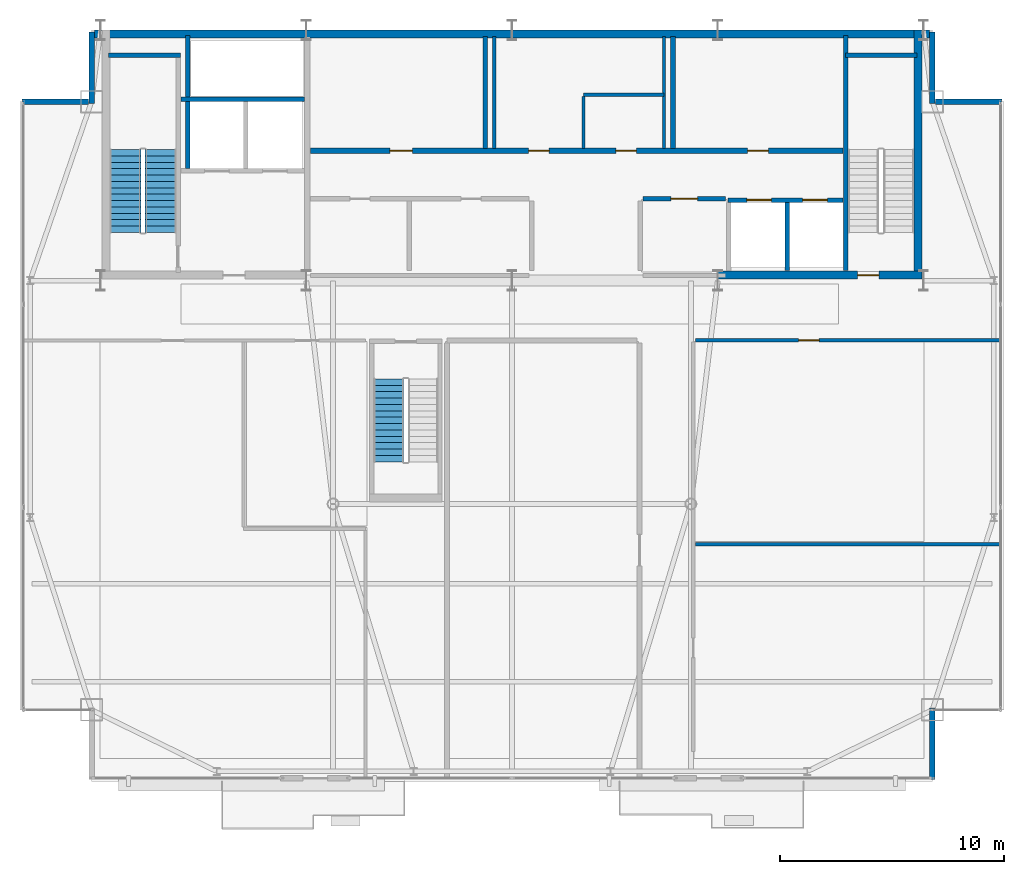
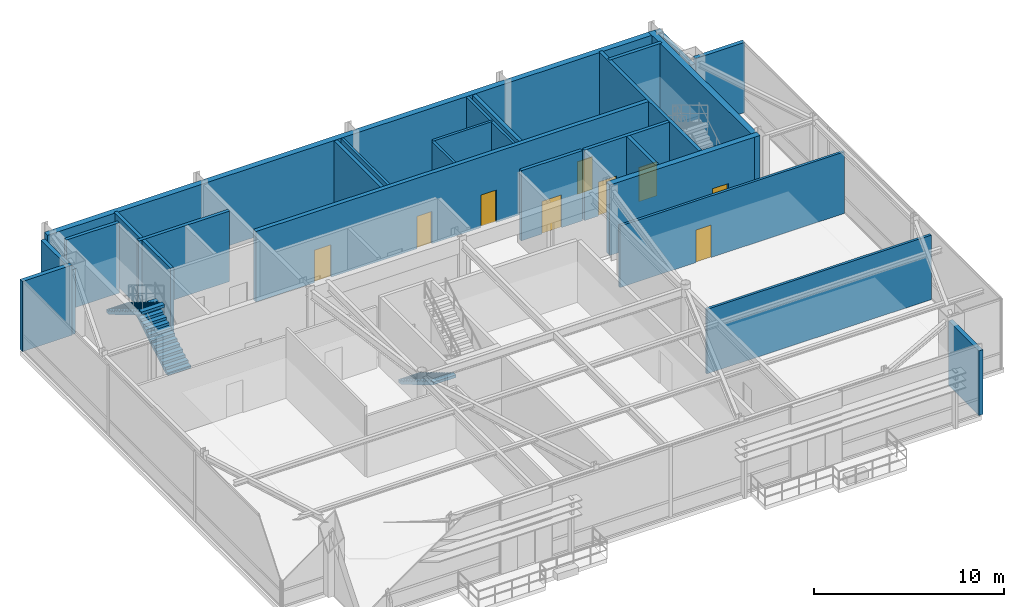
# One storey, part 19 of 22: 25 walls, 9 doors, 3 stair flights, 9 openings, 2 elements without a shape of their own.
"""IFC4 building model written with IfcOpenShell, lengths in metres."""

from ifc_helpers import new_model, si_unit, direction, frame, frame_2d, origin, place, context, subcontext, project, spatial, polyline, rectangle, outline, extrude, source, transform, mapped, material, layer, layer_set, type_object, type_shapes, element, fill, aggregate, save


model = new_model("IFC4")

# Units and contexts
model_context = context("Model", 3, precision=1e-05, world=origin(), true_north=direction((0.0, 1.0)))
body_context = subcontext(model_context, "Body", "Model", "MODEL_VIEW")
ifc_project = project(units=[si_unit("LENGTHUNIT", "METRE"), si_unit("AREAUNIT", "SQUARE_METRE"), si_unit("VOLUMEUNIT", "CUBIC_METRE"), si_unit("PLANEANGLEUNIT", "RADIAN"), si_unit("MASSUNIT", "GRAM", prefix="KILO")], contexts=[model_context])

# Site, building, storey
site_placement = place(None, origin())
site = spatial("IfcSite", under=ifc_project, at=site_placement, CompositionType="ELEMENT")
building_placement = place(site_placement, origin())
building = spatial("IfcBuilding", under=site, at=building_placement, Name="Varnel Quay Broadcast Tower", CompositionType="ELEMENT")
storey_placement = place(building_placement, frame((0.0, 0.0, 305.0)))
storey = spatial("IfcBuildingStorey", under=building, at=storey_placement, Name="L76", CompositionType="ELEMENT", Elevation=305.0)

# Walls
ifc_material_1 = material(Name="Concrete CSA A23.3 C50/60", Category="concrete")
ifc_layer_1 = layer(ifc_material_1, 0.199951171875, Name="Concrete CSA A23.3 C50/60")
ifc_layer_set_1 = layer_set([ifc_layer_1], Name="Concrete CSA A23.3 C50/60")
wall_type_1 = type_object("IfcWallType", Name="Wall_CoreShaftShear200", PredefinedType="SHEAR", material=ifc_layer_set_1)
wall_1_placement = place(storey_placement, frame((15.949951171875, 45.679931640625, 0.0), z_axis=(0.0, 0.0, 1.0), x_axis=(1.0, 0.0, 0.0)))
element("IfcWall", 1, at=wall_1_placement, inside=storey, type_object=wall_type_1, Name="L76 Stair 1 North Structural Wall", PredefinedType="SHEAR", context=body_context, shape_type="SweptSolid", body=[
    extrude(rectangle(XDim=3.22998046875, YDim=0.199951171875, at=frame_2d((1.614990234375, 0.0))), origin(), (0.0, 0.0, 1.0), 4.52001953125),
])
wall_2_placement = place(storey_placement, frame((19.199951171875, 43.699951171875, 0.0), z_axis=(0.0, 0.0, 1.0), x_axis=(1.0, 0.0, 0.0)))
element("IfcWall", 2, at=wall_2_placement, inside=storey, type_object=wall_type_1, Name="L76 Firefighter Lift Shaft Rear Wall", PredefinedType="SHEAR", context=body_context, shape_type="SweptSolid", body=[
    extrude(rectangle(XDim=5.52001953125, YDim=0.199951171875, at=frame_2d((2.760009765625, 0.0))), origin(), (0.0, 0.0, 1.0), 4.52001953125),
])
wall_3_placement = place(storey_placement, frame((19.5, 40.60009765625, 0.0), z_axis=(0.0, 0.0, 1.0), x_axis=(0.0, 1.0, 0.0)))
element("IfcWall", 3, at=wall_3_placement, inside=storey, type_object=wall_type_1, Name="L76 Firefighter Lift Shaft West Wall", PredefinedType="SHEAR", context=body_context, shape_type="SweptSolid", body=[
    extrude(rectangle(XDim=5.949951171875, YDim=0.199951171875, at=frame_2d((2.97509765625, 0.0))), origin(), (0.0, 0.0, 1.0), 4.52001953125),
])
wall_4_placement = place(storey_placement, frame((48.919921875, 36.050048828125, 0.0), z_axis=(0.0, 0.0, 1.0), x_axis=(0.0, 1.0, 0.0)))
element("IfcWall", 4, at=wall_4_placement, inside=storey, type_object=wall_type_1, Name="L76 Stair 2 West Structural Wall", PredefinedType="SHEAR", context=body_context, shape_type="SweptSolid", body=[
    extrude(rectangle(XDim=10.5, YDim=0.199951171875, at=frame_2d((5.25, 0.0))), origin(), (0.0, 0.0, 1.0), 4.52001953125),
])
wall_5_placement = place(storey_placement, frame((48.919921875, 45.679931640625, 0.0), z_axis=(0.0, 0.0, 1.0), x_axis=(1.0, 0.0, 0.0)))
element("IfcWall", 5, at=wall_5_placement, inside=storey, type_object=wall_type_1, Name="L76 Stair 2 North Structural Wall", PredefinedType="SHEAR", context=body_context, shape_type="SweptSolid", body=[
    extrude(rectangle(XDim=3.18017578125, YDim=0.199951171875, at=frame_2d((1.590087890625, 0.0))), origin(), (0.0, 0.0, 1.0), 4.52001953125),
])
wall_6_placement = place(storey_placement, frame((46.300048828125, 36.050048828125, 0.0), z_axis=(0.0, 0.0, 1.0), x_axis=(0.0, 1.0, 0.0)))
element("IfcWall", 6, at=wall_6_placement, inside=storey, type_object=wall_type_1, Name="L76 Express Lift Shaft Divider", PredefinedType="SHEAR", context=body_context, shape_type="SweptSolid", body=[
    extrude(rectangle(XDim=3.050048828125, YDim=0.199951171875, at=frame_2d((1.52490234375, 0.0))), origin(), (0.0, 0.0, 1.0), 4.52001953125),
])

# Wall, openings, doors
wall_7_placement = place(storey_placement, frame((43.64990234375, 39.199951171875, 0.0), z_axis=(0.0, 0.0, 1.0), x_axis=(1.0, 0.0, 0.0)))
wall_7 = element("IfcWall", 7, at=wall_7_placement, inside=storey, type_object=wall_type_1, Name="L76 Express Lift Shaft North Front Wall", PredefinedType="SHEAR", context=body_context, shape_type="SweptSolid", body=[
    extrude(rectangle(XDim=5.150146484375, YDim=0.199951171875, at=frame_2d((2.5751953125, 0.0))), origin(), (0.0, 0.0, 1.0), 4.52001953125),
])
opening_1_placement = place(wall_7_placement, frame((0.85009765625, 0.0, 0.0)))
opening_1 = element("IfcOpeningElement", 8, at=opening_1_placement, cuts=wall_7, Name="Opening LD-L76-PO1", PredefinedType="OPENING", context=body_context, shape_type="SweptSolid", body=[
    extrude(rectangle(XDim=1.10009765625, YDim=2.179931640625, at=frame_2d((0.550048828125, 1.08984375))), frame((0.0, 0.10986328125, 0.0), z_axis=(0.0, -1.0, 0.0), x_axis=(1.0, 0.0, 0.0)), (0.0, 0.0, 1.0), 0.219970703125),
])
opening_2_placement = place(wall_7_placement, frame((3.35009765625, 0.0, 0.0)))
opening_2 = element("IfcOpeningElement", 9, at=opening_2_placement, cuts=wall_7, Name="Opening LD-L76-PO2", PredefinedType="OPENING", context=body_context, shape_type="SweptSolid", body=[
    extrude(rectangle(XDim=1.10009765625, YDim=2.179931640625, at=frame_2d((0.550048828125, 1.08984375))), frame((0.0, 0.10986328125, 0.0), z_axis=(0.0, -1.0, 0.0), x_axis=(1.0, 0.0, 0.0)), (0.0, 0.0, 1.0), 0.219970703125),
])
ifc_material_2 = material(Name="Brushed Bronze-Stainless Lift Car & Sliding Doors", Category="steel")
door_type_1 = type_object("IfcDoorType", Name="Door_LiftLanding1100", OperationType="SLIDING_TO_LEFT", PredefinedType="DOOR", material=ifc_material_2)
shared_shape_1 = source(origin(), body_context, "Body", "SweptSolid", [
    extrude(rectangle(XDim=1.10009765625, YDim=2.179931640625, at=frame_2d((0.550048828125, 1.08984375))), frame((0.0, 0.02490234375, 0.0), z_axis=(0.0, -1.0, 0.0), x_axis=(1.0, 0.0, 0.0)), (0.0, 0.0, 1.0), 0.050048828125),
])
type_shapes(door_type_1, [shared_shape_1])
door_1_placement = place(opening_1_placement, origin())
door_1 = element("IfcDoor", 10, at=door_1_placement, inside=storey, type_object=door_type_1, Name="L76 Express Lift PO-01 Landing Door", OperationType="SLIDING_TO_LEFT", OverallHeight=2.179931640625, OverallWidth=1.10009765625, PredefinedType="DOOR", context=body_context, shape_type="MappedRepresentation", body=[
    mapped(shared_shape_1, transform((0.0, 0.0, 0.0), x_axis=(1.0, 0.0, 0.0), y_axis=(0.0, 1.0, 0.0), z_axis=(0.0, 0.0, 1.0), scale=1.0)),
])
fill(opening_1, door_1)
door_2_placement = place(opening_2_placement, origin())
door_2 = element("IfcDoor", 11, at=door_2_placement, inside=storey, type_object=door_type_1, Name="L76 Express Lift PO-02 Landing Door", OperationType="SLIDING_TO_RIGHT", OverallHeight=2.179931640625, OverallWidth=1.10009765625, PredefinedType="DOOR", context=body_context, shape_type="MappedRepresentation", body=[
    mapped(shared_shape_1, transform((0.0, 0.0, 0.0), x_axis=(1.0, 0.0, 0.0), y_axis=(0.0, 1.0, 0.0), z_axis=(0.0, 0.0, 1.0), scale=1.0)),
])
fill(opening_2, door_2)

ifc_layer_2 = layer(ifc_material_1, 0.25, Name="Concrete CSA A23.3 C50/60")
ifc_layer_set_2 = layer_set([ifc_layer_2], Name="Concrete CSA A23.3 C50/60")
wall_type_2 = type_object("IfcWallType", Name="Wall_CoreShaftShear250", PredefinedType="SHEAR", material=ifc_layer_set_2)
wall_8_placement = place(storey_placement, frame((24.97998046875, 41.39990234375, 0.0), z_axis=(0.0, 0.0, 1.0), x_axis=(1.0, 0.0, 0.0)))
wall_8 = element("IfcWall", 12, at=wall_8_placement, inside=storey, type_object=wall_type_2, Name="L76 North Lift Bank & Reclaimed Suite Wall", PredefinedType="SHEAR", context=body_context, shape_type="SweptSolid", body=[
    extrude(rectangle(XDim=23.820068359375, YDim=0.25, at=frame_2d((11.91015625, 0.0))), origin(), (0.0, 0.0, 1.0), 4.52001953125),
])
opening_3_placement = place(wall_8_placement, frame((3.56005859375, 0.0, 0.0)))
opening_3 = element("IfcOpeningElement", 13, at=opening_3_placement, cuts=wall_8, Name="Opening D-L76-RECA1", PredefinedType="OPENING", context=body_context, shape_type="SweptSolid", body=[
    extrude(rectangle(XDim=1.0, YDim=2.080078125, at=frame_2d((0.5, 1.0400390625))), frame((0.0, 0.135009765625, 0.0), z_axis=(0.0, -1.0, 0.0), x_axis=(1.0, 0.0, 0.0)), (0.0, 0.0, 1.0), 0.27001953125),
])
opening_4_placement = place(wall_8_placement, frame((9.760009765625, 0.0, 0.0)))
opening_4 = element("IfcOpeningElement", 14, at=opening_4_placement, cuts=wall_8, Name="Opening D-L76-RECB1", PredefinedType="OPENING", context=body_context, shape_type="SweptSolid", body=[
    extrude(rectangle(XDim=0.919921875, YDim=2.080078125, at=frame_2d((0.4599609375, 1.0400390625))), frame((0.0, 0.135009765625, 0.0), z_axis=(0.0, -1.0, 0.0), x_axis=(1.0, 0.0, 0.0)), (0.0, 0.0, 1.0), 0.27001953125),
])
opening_5_placement = place(wall_8_placement, frame((13.659912109375, 0.0, 0.0)))
opening_5 = element("IfcOpeningElement", 15, at=opening_5_placement, cuts=wall_8, Name="Opening D-L76-RECB2", PredefinedType="OPENING", context=body_context, shape_type="SweptSolid", body=[
    extrude(rectangle(XDim=0.919921875, YDim=2.080078125, at=frame_2d((0.4599609375, 1.0400390625))), frame((0.0, 0.135009765625, 0.0), z_axis=(0.0, -1.0, 0.0), x_axis=(1.0, 0.0, 0.0)), (0.0, 0.0, 1.0), 0.27001953125),
])
opening_6_placement = place(wall_8_placement, frame((19.56005859375, 0.0, 0.0)))
opening_6 = element("IfcOpeningElement", 16, at=opening_6_placement, cuts=wall_8, Name="Opening D-L76-RECC1", PredefinedType="OPENING", context=body_context, shape_type="SweptSolid", body=[
    extrude(rectangle(XDim=0.919921875, YDim=2.080078125, at=frame_2d((0.4599609375, 1.0400390625))), frame((0.0, 0.135009765625, 0.0), z_axis=(0.0, -1.0, 0.0), x_axis=(1.0, 0.0, 0.0)), (0.0, 0.0, 1.0), 0.27001953125),
])
ifc_material_3 = material(Name="Insulated Fire-Rated Hollow Steel Door", Category="steel")
door_type_2 = type_object("IfcDoorType", Name="Door_FireLobby1000", OperationType="NOTDEFINED", PredefinedType="DOOR", material=ifc_material_3)
shared_shape_2 = source(origin(), body_context, "Body", "SweptSolid", [
    extrude(rectangle(XDim=1.0, YDim=2.080078125, at=frame_2d((0.5, 1.0400390625))), frame((0.0, 0.02490234375, 0.0), z_axis=(0.0, -1.0, 0.0), x_axis=(1.0, 0.0, 0.0)), (0.0, 0.0, 1.0), 0.050048828125),
])
type_shapes(door_type_2, [shared_shape_2])
door_3_placement = place(opening_3_placement, origin())
door_3 = element("IfcDoor", 17, at=door_3_placement, inside=storey, type_object=door_type_2, Name="L76 Broadcast Ingest Server Hall Door", OperationType="SINGLE_SWING_RIGHT", OverallHeight=2.080078125, OverallWidth=1.0, PredefinedType="DOOR", context=body_context, shape_type="MappedRepresentation", body=[
    mapped(shared_shape_2, transform((0.0, 0.0, 0.0), x_axis=(1.0, 0.0, 0.0), y_axis=(0.0, 1.0, 0.0), z_axis=(0.0, 0.0, 1.0), scale=1.0)),
])
fill(opening_3, door_3)
ifc_material_4 = material(Name="Solid-Core Fire-Rated Acoustic Oak Veneer Door", Category="wood")
door_type_3 = type_object("IfcDoorType", Name="Door_Office920", OperationType="NOTDEFINED", PredefinedType="DOOR", material=ifc_material_4)
shared_shape_3 = source(origin(), body_context, "Body", "SweptSolid", [
    extrude(rectangle(XDim=0.919921875, YDim=2.080078125, at=frame_2d((0.4599609375, 1.0400390625))), frame((0.0, 0.02490234375, 0.0), z_axis=(0.0, -1.0, 0.0), x_axis=(1.0, 0.0, 0.0)), (0.0, 0.0, 1.0), 0.050048828125),
])
type_shapes(door_type_3, [shared_shape_3])
door_4_placement = place(opening_4_placement, origin())
door_4 = element("IfcDoor", 18, at=door_4_placement, inside=storey, type_object=door_type_3, Name="L76 Acoustic Rack & Patch Suite Door", OperationType="SINGLE_SWING_LEFT", OverallHeight=2.080078125, OverallWidth=0.919921875, PredefinedType="DOOR", context=body_context, shape_type="MappedRepresentation", body=[
    mapped(shared_shape_3, transform((0.0, 0.0, 0.0), x_axis=(1.0, 0.0, 0.0), y_axis=(0.0, 1.0, 0.0), z_axis=(0.0, 0.0, 1.0), scale=1.0)),
])
fill(opening_4, door_4)
door_5_placement = place(opening_5_placement, origin())
door_5 = element("IfcDoor", 19, at=door_5_placement, inside=storey, type_object=door_type_3, Name="L76 Production Tea Pantry Door", OperationType="SINGLE_SWING_RIGHT", OverallHeight=2.080078125, OverallWidth=0.919921875, PredefinedType="DOOR", context=body_context, shape_type="MappedRepresentation", body=[
    mapped(shared_shape_3, transform((0.0, 0.0, 0.0), x_axis=(1.0, 0.0, 0.0), y_axis=(0.0, 1.0, 0.0), z_axis=(0.0, 0.0, 1.0), scale=1.0)),
])
fill(opening_5, door_5)
door_6_placement = place(opening_6_placement, origin())
door_6 = element("IfcDoor", 20, at=door_6_placement, inside=storey, type_object=door_type_3, Name="L76 Observatory AV Control Suite Door", OperationType="SINGLE_SWING_LEFT", OverallHeight=2.080078125, OverallWidth=0.919921875, PredefinedType="DOOR", context=body_context, shape_type="MappedRepresentation", body=[
    mapped(shared_shape_3, transform((0.0, 0.0, 0.0), x_axis=(1.0, 0.0, 0.0), y_axis=(0.0, 1.0, 0.0), z_axis=(0.0, 0.0, 1.0), scale=1.0)),
])
fill(opening_6, door_6)

# Walls
ifc_layer_3 = layer(ifc_material_1, 0.35009765625, Name="Concrete CSA A23.3 C50/60")
ifc_layer_set_3 = layer_set([ifc_layer_3], Name="Concrete CSA A23.3 C50/60")
wall_type_3 = type_object("IfcWallType", Name="Wall_CoreShearExt350", PredefinedType="SHEAR", material=ifc_layer_set_3)
wall_9_placement = place(storey_placement, frame((15.324951171875, 46.625, 0.0), z_axis=(0.0, 0.0, 1.0), x_axis=(1.0, 0.0, 0.0)))
element("IfcWall", 21, at=wall_9_placement, inside=storey, type_object=wall_type_3, Name="L76 North Core Shear Wall", PredefinedType="SHEAR", context=body_context, shape_type="SweptSolid", body=[
    extrude(rectangle(XDim=37.35009765625, YDim=0.35009765625, at=frame_2d((18.675048828125, 0.0))), origin(), (0.0, 0.0, 1.0), 4.52001953125),
])
ifc_layer_4 = layer(ifc_material_1, 0.35009765625, Name="Concrete CSA A23.3 C50/60")
ifc_layer_set_4 = layer_set([ifc_layer_4], Name="Concrete CSA A23.3 C50/60")
wall_type_4 = type_object("IfcWallType", Name="Wall_CoreShearInt350", PredefinedType="SHEAR", material=ifc_layer_set_4)
wall_10_placement = place(storey_placement, frame((52.155029296875, 35.669921875, 0.0), z_axis=(0.0, 0.0, 1.0), x_axis=(0.0, 1.0, 0.0)))
element("IfcWall", 22, at=wall_10_placement, inside=storey, type_object=wall_type_4, Name="L76 East Core Shear Wall", PredefinedType="SHEAR", context=body_context, shape_type="SweptSolid", body=[
    extrude(rectangle(XDim=11.130126953125, YDim=0.35009765625, at=frame_2d((5.56494140625, 0.0))), origin(), (0.0, 0.0, 1.0), 4.52001953125),
])

# Wall, opening, door
wall_11_placement = place(storey_placement, frame((43.199951171875, 35.844970703125, 0.0), z_axis=(0.0, 0.0, 1.0), x_axis=(1.0, 0.0, 0.0)))
wall_11 = element("IfcWall", 23, at=wall_11_placement, inside=storey, type_object=wall_type_4, Name="L76 South-East Core Shear Wall", PredefinedType="SHEAR", context=body_context, shape_type="SweptSolid", body=[
    extrude(rectangle(XDim=9.130126953125, YDim=0.35009765625, at=frame_2d((4.56494140625, 0.0))), origin(), (0.0, 0.0, 1.0), 4.52001953125),
])
opening_7_placement = place(wall_11_placement, frame((6.25, 0.0, 0.0)))
opening_7 = element("IfcOpeningElement", 24, at=opening_7_placement, cuts=wall_11, Name="Opening D-L76-S2", PredefinedType="OPENING", context=body_context, shape_type="SweptSolid", body=[
    extrude(rectangle(XDim=0.949951171875, YDim=2.10009765625, at=frame_2d((0.47509765625, 1.050048828125))), frame((0.0, 0.18505859375, 0.0), z_axis=(0.0, -1.0, 0.0), x_axis=(1.0, 0.0, 0.0)), (0.0, 0.0, 1.0), 0.3701171875),
])
door_type_4 = type_object("IfcDoorType", Name="Door_FireStair950", OperationType="NOTDEFINED", PredefinedType="DOOR", material=ifc_material_3)
shared_shape_4 = source(origin(), body_context, "Body", "SweptSolid", [
    extrude(rectangle(XDim=0.949951171875, YDim=2.10009765625, at=frame_2d((0.47509765625, 1.050048828125))), frame((0.0, 0.02490234375, 0.0), z_axis=(0.0, -1.0, 0.0), x_axis=(1.0, 0.0, 0.0)), (0.0, 0.0, 1.0), 0.050048828125),
])
type_shapes(door_type_4, [shared_shape_4])
door_7_placement = place(opening_7_placement, origin())
door_7 = element("IfcDoor", 25, at=door_7_placement, inside=storey, type_object=door_type_4, Name="L76 Stair 2 Fire Door", OperationType="SINGLE_SWING_LEFT", OverallHeight=2.10009765625, OverallWidth=0.949951171875, PredefinedType="DOOR", context=body_context, shape_type="MappedRepresentation", body=[
    mapped(shared_shape_4, transform((0.0, 0.0, 0.0), x_axis=(1.0, 0.0, 0.0), y_axis=(0.0, 1.0, 0.0), z_axis=(0.0, 0.0, 1.0), scale=1.0)),
])
fill(opening_7, door_7)

# Walls
ifc_material_5 = material(Name="Precast Architectural Concrete C40/50", Category="concrete")
ifc_layer_5 = layer(ifc_material_5, 0.25, Name="Precast Architectural Concrete C40/50")
ifc_layer_set_5 = layer_set([ifc_layer_5], Name="Precast Architectural Concrete C40/50")
wall_type_5 = type_object("IfcWallType", Name="Wall_ExtTerrace250", PredefinedType="SOLIDWALL", material=ifc_layer_set_5)
wall_12_placement = place(storey_placement, frame((52.800048828125, 13.280029296875, 0.0), z_axis=(0.0, 0.0, 1.0), x_axis=(0.0, 1.0, 0.0)))
element("IfcWall", 26, at=wall_12_placement, inside=storey, type_object=wall_type_5, Name="L76 Mega-Column Notch Cladding Wall NSE2", PredefinedType="SOLIDWALL", context=body_context, shape_type="SweptSolid", body=[
    extrude(rectangle(XDim=3.199951171875, YDim=0.25, at=frame_2d((1.60009765625, 0.0))), origin(), (0.0, 0.0, 1.0), 4.14111328125),
])
wall_13_placement = place(storey_placement, frame((12.080078125, 43.60009765625, 0.0), z_axis=(0.0, 0.0, 1.0), x_axis=(1.0, 0.0, 0.0)))
element("IfcWall", 27, at=wall_13_placement, inside=storey, type_object=wall_type_5, Name="L76 Mega-Column Notch Cladding Wall NNW1", PredefinedType="SOLIDWALL", context=body_context, shape_type="SweptSolid", body=[
    extrude(rectangle(XDim=2.989990234375, YDim=0.25, at=frame_2d((1.4951171875, 0.0))), origin(), (0.0, 0.0, 1.0), 4.5),
])
wall_14_placement = place(storey_placement, frame((15.199951171875, 43.52001953125, 0.0), z_axis=(0.0, 0.0, 1.0), x_axis=(0.0, 1.0, 0.0)))
element("IfcWall", 28, at=wall_14_placement, inside=storey, type_object=wall_type_5, Name="L76 Mega-Column Notch Cladding Wall NNW2", PredefinedType="SOLIDWALL", context=body_context, shape_type="SweptSolid", body=[
    extrude(rectangle(XDim=3.199951171875, YDim=0.25, at=frame_2d((1.60009765625, 0.0))), origin(), (0.0, 0.0, 1.0), 4.14111328125),
])
wall_15_placement = place(storey_placement, frame((52.929931640625, 43.60009765625, 0.0), z_axis=(0.0, 0.0, 1.0), x_axis=(1.0, 0.0, 0.0)))
element("IfcWall", 29, at=wall_15_placement, inside=storey, type_object=wall_type_5, Name="L76 Mega-Column Notch Cladding Wall NNE1", PredefinedType="SOLIDWALL", context=body_context, shape_type="SweptSolid", body=[
    extrude(rectangle(XDim=2.989990234375, YDim=0.25, at=frame_2d((1.4951171875, 0.0))), origin(), (0.0, 0.0, 1.0), 4.5),
])
wall_16_placement = place(storey_placement, frame((52.800048828125, 43.52001953125, 0.0), z_axis=(0.0, 0.0, 1.0), x_axis=(0.0, 1.0, 0.0)))
element("IfcWall", 30, at=wall_16_placement, inside=storey, type_object=wall_type_5, Name="L76 Mega-Column Notch Cladding Wall NNE2", PredefinedType="SOLIDWALL", context=body_context, shape_type="SweptSolid", body=[
    extrude(rectangle(XDim=3.199951171875, YDim=0.25, at=frame_2d((1.60009765625, 0.0))), origin(), (0.0, 0.0, 1.0), 4.14111328125),
])

# Wall, opening, door
ifc_material_6 = material(Name="Concrete Blockwork Fire Enclosure C40/50", Category="masonry")
ifc_layer_6 = layer(ifc_material_6, 0.199951171875, Name="Concrete Blockwork Fire Enclosure C40/50")
ifc_layer_set_6 = layer_set([ifc_layer_6], Name="Concrete Blockwork Fire Enclosure C40/50")
wall_type_6 = type_object("IfcWallType", Name="Wall_FireShaft200", PredefinedType="SOLIDWALL", material=ifc_layer_set_6)
wall_17_placement = place(storey_placement, frame((39.85009765625, 39.25, 0.0), z_axis=(0.0, 0.0, 1.0), x_axis=(1.0, 0.0, 0.0)))
wall_17 = element("IfcWall", 31, at=wall_17_placement, inside=storey, type_object=wall_type_6, Name="L76 Electrical Sub-Distribution Closet Partition 6", PredefinedType="SOLIDWALL", context=body_context, shape_type="SweptSolid", body=[
    extrude(rectangle(XDim=3.699951171875, YDim=0.199951171875, at=frame_2d((1.85009765625, 0.0))), origin(), (0.0, 0.0, 1.0), 4.5),
])
opening_8_placement = place(wall_17_placement, frame((1.25, 0.0, 0.0)))
opening_8 = element("IfcOpeningElement", 32, at=opening_8_placement, cuts=wall_17, Name="Opening D-L76-03", PredefinedType="OPENING", context=body_context, shape_type="SweptSolid", body=[
    extrude(rectangle(XDim=1.199951171875, YDim=2.10009765625, at=frame_2d((0.60009765625, 1.050048828125))), frame((0.0, 0.10986328125, 0.0), z_axis=(0.0, -1.0, 0.0), x_axis=(1.0, 0.0, 0.0)), (0.0, 0.0, 1.0), 0.219970703125),
])
door_type_5 = type_object("IfcDoorType", Name="Door_Plant1200", OperationType="NOTDEFINED", PredefinedType="DOOR", material=ifc_material_3)
shared_shape_5 = source(origin(), body_context, "Body", "SweptSolid", [
    extrude(rectangle(XDim=1.199951171875, YDim=2.10009765625, at=frame_2d((0.60009765625, 1.050048828125))), frame((0.0, 0.02490234375, 0.0), z_axis=(0.0, -1.0, 0.0), x_axis=(1.0, 0.0, 0.0)), (0.0, 0.0, 1.0), 0.050048828125),
])
type_shapes(door_type_5, [shared_shape_5])
door_8_placement = place(opening_8_placement, origin())
door_8 = element("IfcDoor", 33, at=door_8_placement, inside=storey, type_object=door_type_5, Name="L76 Electrical Sub-Distribution Closet Door D-L76-03", OperationType="SINGLE_SWING_LEFT", OverallHeight=2.10009765625, OverallWidth=1.199951171875, PredefinedType="DOOR", context=body_context, shape_type="MappedRepresentation", body=[
    mapped(shared_shape_5, transform((0.0, 0.0, 0.0), x_axis=(1.0, 0.0, 0.0), y_axis=(0.0, 1.0, 0.0), z_axis=(0.0, 0.0, 1.0), scale=1.0)),
])
fill(opening_8, door_8)

# Walls
wall_18_placement = place(storey_placement, frame((32.800048828125, 41.5, 0.0), z_axis=(0.0, 0.0, 1.0), x_axis=(0.0, 1.0, 0.0)))
element("IfcWall", 34, at=wall_18_placement, inside=storey, type_object=wall_type_6, Name="L76 Broadcast Ingest Server Hall Partition 18", PredefinedType="SOLIDWALL", context=body_context, shape_type="SweptSolid", body=[
    extrude(rectangle(XDim=5.02001953125, YDim=0.199951171875, at=frame_2d((2.510009765625, 0.0))), origin(), (0.0, 0.0, 1.0), 4.5),
])
ifc_material_7 = material(Name="Steel-Stud Fire-Rated Acoustic Gypsum Partition Assembly", Category="steel")
ifc_layer_7 = layer(ifc_material_7, 0.14990234375, Name="Steel-Stud Fire-Rated Acoustic Gypsum Partition Assembly")
ifc_layer_set_7 = layer_set([ifc_layer_7], Name="Steel-Stud Fire-Rated Acoustic Gypsum Partition Assembly")
wall_type_7 = type_object("IfcWallType", Name="Wall_Partition150", PredefinedType="PARTITIONING", material=ifc_layer_set_7)
wall_19_placement = place(storey_placement, frame((42.199951171875, 23.800048828125, 0.0), z_axis=(0.0, 0.0, 1.0), x_axis=(1.0, 0.0, 0.0)))
element("IfcWall", 35, at=wall_19_placement, inside=storey, type_object=wall_type_7, Name="L76 Sky Lounge Catering Kitchen Partition 15", PredefinedType="PARTITIONING", context=body_context, shape_type="SweptSolid", body=[
    extrude(rectangle(XDim=13.6201171875, YDim=0.14990234375, at=frame_2d((6.81005859375, 0.0))), origin(), (0.0, 0.0, 1.0), 4.14111328125),
])

# Wall, opening, door
wall_20_placement = place(storey_placement, frame((42.199951171875, 32.925048828125, 0.0), z_axis=(0.0, 0.0, 1.0), x_axis=(1.0, 0.0, 0.0)))
wall_20 = element("IfcWall", 36, at=wall_20_placement, inside=storey, type_object=wall_type_7, Name="L76 Observatory Curator's Office Partition 17", PredefinedType="PARTITIONING", context=body_context, shape_type="SweptSolid", body=[
    extrude(rectangle(XDim=13.6201171875, YDim=0.14990234375, at=frame_2d((6.81005859375, 0.0))), origin(), (0.0, 0.0, 1.0), 3.950927734375),
])
opening_9_placement = place(wall_20_placement, frame((4.614990234375, 0.0, 0.0)))
opening_9 = element("IfcOpeningElement", 37, at=opening_9_placement, cuts=wall_20, Name="Opening D-L76-08", PredefinedType="OPENING", context=body_context, shape_type="SweptSolid", body=[
    extrude(rectangle(XDim=0.919921875, YDim=2.080078125, at=frame_2d((0.4599609375, 1.0400390625))), frame((0.0, 0.0849609375, 0.0), z_axis=(0.0, -1.0, 0.0), x_axis=(1.0, 0.0, 0.0)), (0.0, 0.0, 1.0), 0.169921875),
])
door_9_placement = place(opening_9_placement, frame((0.919921875, 0.0, 0.0), z_axis=(0.0, 0.0, 1.0), x_axis=(-1.0, 0.0, 0.0)))
door_9 = element("IfcDoor", 38, at=door_9_placement, inside=storey, type_object=door_type_3, Name="L76 Observatory Curator's Office Door D-L76-08", OperationType="SINGLE_SWING_LEFT", OverallHeight=2.080078125, OverallWidth=0.919921875, PredefinedType="DOOR", context=body_context, shape_type="MappedRepresentation", body=[
    mapped(shared_shape_3, transform((0.0, 0.0, 0.0), x_axis=(1.0, 0.0, 0.0), y_axis=(0.0, 1.0, 0.0), z_axis=(0.0, 0.0, 1.0), scale=1.0)),
])
fill(opening_9, door_9)

# Walls
wall_21_placement = place(storey_placement, frame((37.199951171875, 41.5, 0.0), z_axis=(0.0, 0.0, 1.0), x_axis=(0.0, 1.0, 0.0)))
element("IfcWall", 39, at=wall_21_placement, inside=storey, type_object=wall_type_7, Name="L76 Acoustic Rack & Patch Suite Partition 19", PredefinedType="PARTITIONING", context=body_context, shape_type="SweptSolid", body=[
    extrude(rectangle(XDim=2.324951171875, YDim=0.14990234375, at=frame_2d((1.16259765625, 0.0))), origin(), (0.0, 0.0, 1.0), 4.5),
])
wall_22_placement = place(storey_placement, frame((37.199951171875, 43.89990234375, 0.0), z_axis=(0.0, 0.0, 1.0), x_axis=(1.0, 0.0, 0.0)))
element("IfcWall", 40, at=wall_22_placement, inside=storey, type_object=wall_type_7, Name="L76 Acoustic Rack & Patch Suite Partition 20", PredefinedType="PARTITIONING", context=body_context, shape_type="SweptSolid", body=[
    extrude(rectangle(XDim=3.60009765625, YDim=0.14990234375, at=frame_2d((1.800048828125, 0.0))), origin(), (0.0, 0.0, 1.0), 4.5),
])
for number, where, z_axis, x_axis, name in (
    (41, (40.800048828125, 41.5, 0.0), (0.0, 0.0, 1.0), (0.0, 1.0, 0.0), "L76 Acoustic Rack & Patch Suite Partition 21"),
    (42, (33.199951171875, 41.5, 0.0), (0.0, 0.0, 1.0), (0.0, 1.0, 0.0), "L76 Acoustic Rack & Patch Suite Partition 22"),
):
    element("IfcWall", number, at=place(storey_placement, frame(where, z_axis=z_axis, x_axis=x_axis)), inside=storey, type_object=wall_type_7, Name=name, PredefinedType="PARTITIONING", context=body_context, shape_type="SweptSolid", body=[
        extrude(rectangle(XDim=5.02001953125, YDim=0.14990234375, at=frame_2d((2.510009765625, 0.0))), origin(), (0.0, 0.0, 1.0), 4.5),
    ])
ifc_layer_8 = layer(ifc_material_7, 0.22509765625, Name="Steel-Stud Fire-Rated Acoustic Gypsum Partition Assembly")
ifc_layer_set_8 = layer_set([ifc_layer_8], Name="Steel-Stud Fire-Rated Acoustic Gypsum Partition Assembly")
wall_type_8 = type_object("IfcWallType", Name="Wall_Partition225", PredefinedType="PARTITIONING", material=ifc_layer_set_8)
wall_23_placement = place(storey_placement, frame((41.199951171875, 41.5, 0.0), z_axis=(0.0, 0.0, 1.0), x_axis=(0.0, 1.0, 0.0)))
element("IfcWall", 43, at=wall_23_placement, inside=storey, type_object=wall_type_8, Name="L76 Observatory AV Control Suite Partition 23", PredefinedType="PARTITIONING", context=body_context, shape_type="SweptSolid", body=[
    extrude(rectangle(XDim=5.02001953125, YDim=0.22509765625, at=frame_2d((2.510009765625, 0.0))), origin(), (0.0, 0.0, 1.0), 4.5),
])

# Stair, stair flights
ifc_material_8 = material(Name="Precast Structural Concrete C40/50", Category="concrete")
stair_type_1 = type_object("IfcStairType", Name="Stair_ST-01", PredefinedType="HALF_TURN_STAIR", material=ifc_material_8)
stair_1_placement = place(storey_placement, origin())
stair_1 = element("IfcStair", 44, at=stair_1_placement, inside=storey, type_object=stair_type_1, Name="L76 West Core Exit Stair 1", PredefinedType="HALF_TURN_STAIR")
stair_flight_type_1 = type_object("IfcStairFlightType", Name="Flight_ST-01", PredefinedType="STRAIGHT", material=ifc_material_8)
stair_flight_1_placement = place(storey_placement, frame((18.300048828125, 37.75, 0.0), z_axis=(0.0, 0.0, 1.0), x_axis=(0.0, 1.0, 0.0)))
stair_flight_1 = element("IfcStairFlight", 45, at=stair_flight_1_placement, type_object=stair_flight_type_1, Name="ST-01 flight 1", NumberOfRisers=14, NumberOfTreads=13, PredefinedType="STRAIGHT", RiserHeight=0.171428571, TreadLength=0.285, context=body_context, shape_type="SweptSolid", body=[
    extrude(outline(polyline([(0.0, 0.0), (0.0, 0.17138671875), (0.284912109375, 0.17138671875), (0.284912109375, 0.3427734375), (0.570068359375, 0.3427734375), (0.570068359375, 0.514404296875), (0.85498046875, 0.514404296875), (0.85498046875, 0.685791015625), (1.139892578125, 0.685791015625), (1.139892578125, 0.857177734375), (1.425048828125, 0.857177734375), (1.425048828125, 1.028564453125), (1.7099609375, 1.028564453125), (1.7099609375, 1.199951171875), (1.9951171875, 1.199951171875), (1.9951171875, 1.371337890625), (2.280029296875, 1.371337890625), (2.280029296875, 1.54296875), (2.56494140625, 1.54296875), (2.56494140625, 1.71435546875), (2.85009765625, 1.71435546875), (2.85009765625, 1.8857421875), (3.135009765625, 1.8857421875), (3.135009765625, 2.05712890625), (3.419921875, 2.05712890625), (3.419921875, 2.228515625), (3.705078125, 2.228515625), (3.705078125, 2.39990234375), (3.705078125, 2.0537109375), (0.290771484375, 0.0), (0.0, 0.0)])), frame((0.0, 0.699951171875, 0.0), z_axis=(0.0, -1.0, 0.0), x_axis=(1.0, 0.0, 0.0)), (0.0, 0.0, 1.0), 1.39990234375),
])
stair_flight_2_placement = place(storey_placement, frame((16.699951171875, 41.455078125, 2.39990234375), z_axis=(0.0, 0.0, 1.0), x_axis=(0.0, -1.0, 0.0)))
stair_flight_2 = element("IfcStairFlight", 46, at=stair_flight_2_placement, type_object=stair_flight_type_1, Name="ST-01 flight 2", NumberOfRisers=14, NumberOfTreads=13, PredefinedType="STRAIGHT", RiserHeight=0.171428571, TreadLength=0.285, context=body_context, shape_type="SweptSolid", body=[
    extrude(outline(polyline([(0.0, 0.0), (0.0, 0.17138671875), (0.284912109375, 0.17138671875), (0.284912109375, 0.3427734375), (0.570068359375, 0.3427734375), (0.570068359375, 0.514404296875), (0.85498046875, 0.514404296875), (0.85498046875, 0.685791015625), (1.139892578125, 0.685791015625), (1.139892578125, 0.857177734375), (1.425048828125, 0.857177734375), (1.425048828125, 1.028564453125), (1.7099609375, 1.028564453125), (1.7099609375, 1.199951171875), (1.9951171875, 1.199951171875), (1.9951171875, 1.371337890625), (2.280029296875, 1.371337890625), (2.280029296875, 1.54296875), (2.56494140625, 1.54296875), (2.56494140625, 1.71435546875), (2.85009765625, 1.71435546875), (2.85009765625, 1.8857421875), (3.135009765625, 1.8857421875), (3.135009765625, 2.05712890625), (3.419921875, 2.05712890625), (3.419921875, 2.228515625), (3.705078125, 2.228515625), (3.705078125, 2.39990234375), (3.705078125, 2.0537109375), (0.290771484375, 0.0), (0.0, 0.0)])), frame((0.0, 0.699951171875, 0.0), z_axis=(0.0, -1.0, 0.0), x_axis=(1.0, 0.0, 0.0)), (0.0, 0.0, 1.0), 1.39990234375),
])
aggregate(stair_1, [stair_flight_1, stair_flight_2])

# Stair, stair flight
stair_type_2 = type_object("IfcStairType", Name="Stair_ST-04", PredefinedType="HALF_TURN_STAIR", material=ifc_material_8)
stair_2_placement = place(storey_placement, origin())
stair_2 = element("IfcStair", 47, at=stair_2_placement, inside=storey, type_object=stair_type_2, Name="L76 Observation Gallery Stair 4", PredefinedType="HALF_TURN_STAIR")
stair_flight_type_2 = type_object("IfcStairFlightType", Name="Flight_ST-04", PredefinedType="STRAIGHT", material=ifc_material_8)
stair_flight_3_placement = place(storey_placement, frame((28.47509765625, 31.199951171875, 0.0), z_axis=(0.0, 0.0, 1.0), x_axis=(0.0, -1.0, 0.0)))
stair_flight_3 = element("IfcStairFlight", 48, at=stair_flight_3_placement, type_object=stair_flight_type_2, Name="ST-04 flight 1", NumberOfRisers=14, NumberOfTreads=13, PredefinedType="STRAIGHT", RiserHeight=0.171428571, TreadLength=0.285, context=body_context, shape_type="SweptSolid", body=[
    extrude(outline(polyline([(0.0, 0.0), (0.0, 0.17138671875), (0.284912109375, 0.17138671875), (0.284912109375, 0.3427734375), (0.570068359375, 0.3427734375), (0.570068359375, 0.514404296875), (0.85498046875, 0.514404296875), (0.85498046875, 0.685791015625), (1.139892578125, 0.685791015625), (1.139892578125, 0.857177734375), (1.425048828125, 0.857177734375), (1.425048828125, 1.028564453125), (1.7099609375, 1.028564453125), (1.7099609375, 1.199951171875), (1.9951171875, 1.199951171875), (1.9951171875, 1.371337890625), (2.280029296875, 1.371337890625), (2.280029296875, 1.54296875), (2.56494140625, 1.54296875), (2.56494140625, 1.71435546875), (2.85009765625, 1.71435546875), (2.85009765625, 1.8857421875), (3.135009765625, 1.8857421875), (3.135009765625, 2.05712890625), (3.419921875, 2.05712890625), (3.419921875, 2.228515625), (3.705078125, 2.228515625), (3.705078125, 2.39990234375), (3.705078125, 2.0537109375), (0.290771484375, 0.0), (0.0, 0.0)])), frame((0.0, 0.675048828125, 0.0), z_axis=(0.0, -1.0, 0.0), x_axis=(1.0, 0.0, 0.0)), (0.0, 0.0, 1.0), 1.35009765625),
])
aggregate(stair_2, [stair_flight_3])

save(model, "model.ifc")
